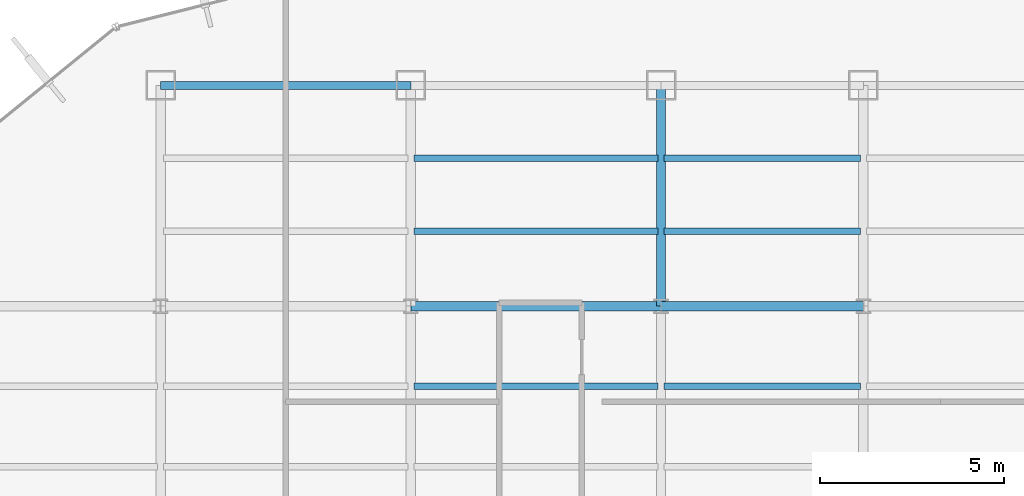
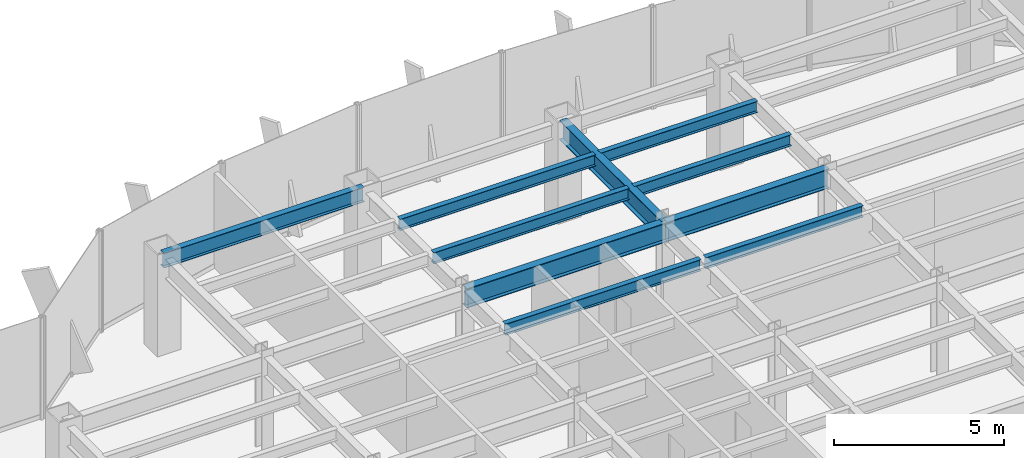
# One storey, part 15 of 26: 10 beams.
"""IFC4 building model written with IfcOpenShell, lengths in metres."""

from ifc_helpers import new_model, si_unit, derived_unit, direction, frame, origin, origin_2d, place, context, subcontext, project, spatial, i_section, extrude, source, transform, mapped, material, material_profile, profile_set, type_object, element, save


model = new_model("IFC4")

# Units and contexts
model_context = context("Model", 3, precision=1e-05, world=origin(), true_north=direction((0.0, 1.0)))
body_context = subcontext(model_context, "Body", "Model", "MODEL_VIEW")
ifc_project = project(units=[si_unit("LENGTHUNIT", "METRE"), si_unit("AREAUNIT", "SQUARE_METRE"), si_unit("VOLUMEUNIT", "CUBIC_METRE"), si_unit("PLANEANGLEUNIT", "RADIAN"), si_unit("MASSUNIT", "GRAM", prefix="KILO"), derived_unit("THERMALTRANSMITTANCEUNIT", [(si_unit("POWERUNIT", "WATT"), 1), (si_unit("LENGTHUNIT", "METRE"), -2), (si_unit("THERMODYNAMICTEMPERATUREUNIT", "KELVIN"), -1)])], contexts=[model_context])

# Site, building, storey
site_placement = place(None, origin())
site = spatial("IfcSite", under=ifc_project, at=site_placement, CompositionType="ELEMENT")
building_placement = place(site_placement, origin())
building = spatial("IfcBuilding", under=site, at=building_placement, Name="Skarnbrae Concourse Arena and Tower", CompositionType="ELEMENT")
storey_placement = place(building_placement, frame((0.0, 0.0, 95.949951171875)))
storey = spatial("IfcBuildingStorey", under=building, at=storey_placement, Name="L23", CompositionType="ELEMENT", Elevation=95.949951171875)

# Beams
ifc_material = material(Name="Steel CSA G40.21 350W", Category="steel")
ifc_material_profile_1 = material_profile(ifc_material, i_section(OverallWidth=0.256103515625, OverallDepth=0.693115234375, WebThickness=0.014404296875, FlangeThickness=0.023681640625, at=origin_2d()), Name="W690X170")
ifc_profile_set_1 = profile_set([ifc_material_profile_1], Name="Steel CSA G40.21 350W")
beam_type_1 = type_object("IfcBeamType", Name="BM-GIRD-W690X170", PredefinedType="BEAM", material=ifc_profile_set_1)
shared_shape_1 = source(origin(), body_context, "Body", "SweptSolid", [
    extrude(i_section(OverallWidth=0.256103515625, OverallDepth=0.693115234375, WebThickness=0.014404296875, FlangeThickness=0.023681640625, at=origin_2d()), origin(), (0.0, 0.0, 1.0), 6.800048828125),
])
beam_1_placement = place(storey_placement, frame((21.199951171875, 34.39990234375, 3.053466796875), z_axis=(1.0, 0.0, 0.0), x_axis=(0.0, 1.0, 0.0)))
element("IfcBeam", 1, at=beam_1_placement, inside=storey, type_object=beam_type_1, Name="L23 Primary E-W girder Y34.4-3", PredefinedType="BEAM", context=body_context, shape_type="MappedRepresentation", body=[
    mapped(shared_shape_1, transform((0.0, 0.0, 0.0))),
])
shared_shape_2 = source(origin(), body_context, "Body", "SweptSolid", [
    extrude(i_section(OverallWidth=0.256103515625, OverallDepth=0.693115234375, WebThickness=0.014404296875, FlangeThickness=0.023681640625, at=origin_2d()), origin(), (0.0, 0.0, 1.0), 5.5),
])
beam_2_placement = place(storey_placement, frame((28.0, 34.39990234375, 3.053466796875), z_axis=(1.0, 0.0, 0.0), x_axis=(0.0, 1.0, 0.0)))
element("IfcBeam", 2, at=beam_2_placement, inside=storey, type_object=beam_type_1, Name="L23 Primary E-W girder Y34.4-4", PredefinedType="BEAM", context=body_context, shape_type="MappedRepresentation", body=[
    mapped(shared_shape_2, transform((0.0, 0.0, 0.0))),
])
ifc_material_profile_2 = material_profile(ifc_material, i_section(OverallWidth=0.208984375, OverallDepth=0.532958984375, WebThickness=0.01025390625, FlangeThickness=0.015625, at=origin_2d()), Name="W530X92")
ifc_profile_set_2 = profile_set([ifc_material_profile_2], Name="Steel CSA G40.21 350W")
beam_type_2 = type_object("IfcBeamType", Name="BM-SPAN-W530X92", PredefinedType="SPANDREL", material=ifc_profile_set_2)
shared_shape_3 = source(origin(), body_context, "Body", "SweptSolid", [
    extrude(i_section(OverallWidth=0.208984375, OverallDepth=0.532958984375, WebThickness=0.01025390625, FlangeThickness=0.015625, at=origin_2d()), origin(), (0.0, 0.0, 1.0), 6.800048828125),
])
beam_3_placement = place(storey_placement, frame((14.39990234375, 40.39990234375, 3.133544921875), z_axis=(1.0, 0.0, 0.0), x_axis=(0.0, 1.0, 0.0)))
element("IfcBeam", 3, at=beam_3_placement, inside=storey, type_object=beam_type_2, Name="L23 Perimeter spandrel Y40.4-1", PredefinedType="SPANDREL", context=body_context, shape_type="MappedRepresentation", body=[
    mapped(shared_shape_3, transform((0.0, 0.0, 0.0))),
])
shared_shape_4 = source(origin(), body_context, "Body", "SweptSolid", [
    extrude(i_section(OverallWidth=0.256103515625, OverallDepth=0.693115234375, WebThickness=0.014404296875, FlangeThickness=0.023681640625, at=origin_2d()), origin(), (0.0, 0.0, 1.0), 6.0),
])
beam_4_placement = place(storey_placement, frame((28.0, 34.39990234375, 3.053466796875), z_axis=(0.0, 1.0, 0.0), x_axis=(-1.0, 0.0, 0.0)))
element("IfcBeam", 4, at=beam_4_placement, inside=storey, type_object=beam_type_1, Name="L23 Primary N-S girder X28.0-4", PredefinedType="BEAM", context=body_context, shape_type="MappedRepresentation", body=[
    mapped(shared_shape_4, transform((0.0, 0.0, 0.0))),
])
ifc_material_profile_3 = material_profile(ifc_material, i_section(OverallWidth=0.177978515625, OverallDepth=0.406982421875, WebThickness=0.0078125, FlangeThickness=0.0126953125, at=origin_2d()), Name="W410X60")
ifc_profile_set_3 = profile_set([ifc_material_profile_3], Name="Steel CSA G40.21 350W")
beam_type_3 = type_object("IfcBeamType", Name="BM-JOIST-W410X60", PredefinedType="JOIST", material=ifc_profile_set_3)
shared_shape_5 = source(origin(), body_context, "Body", "SweptSolid", [
    extrude(i_section(OverallWidth=0.177978515625, OverallDepth=0.406982421875, WebThickness=0.0078125, FlangeThickness=0.0126953125, at=origin_2d()), origin(), (0.0, 0.0, 1.0), 6.639892578125),
])
for number, where, z_axis, x_axis, name in (
    (5, (21.280029296875, 32.221923828125, 3.196533203125), (1.0, 0.0, 0.0), (0.0, 1.0, 0.0), "L23 Secondary floor joist 3.2.3"),
    (6, (21.280029296875, 36.43994140625, 3.196533203125), (1.0, 0.0, 0.0), (0.0, 1.0, 0.0), "L23 Secondary floor joist 4.1.2"),
    (7, (21.280029296875, 38.419921875, 3.196533203125), (1.0, 0.0, 0.0), (0.0, 1.0, 0.0), "L23 Secondary floor joist 4.2.2"),
):
    element("IfcBeam", number, at=place(storey_placement, frame(where, z_axis=z_axis, x_axis=x_axis)), inside=storey, type_object=beam_type_3, Name=name, PredefinedType="JOIST", context=body_context, shape_type="MappedRepresentation", body=[
        mapped(shared_shape_5, transform((0.0, 0.0, 0.0))),
    ])
shared_shape_6 = source(origin(), body_context, "Body", "SweptSolid", [
    extrude(i_section(OverallWidth=0.177978515625, OverallDepth=0.406982421875, WebThickness=0.0078125, FlangeThickness=0.0126953125, at=origin_2d()), origin(), (0.0, 0.0, 1.0), 5.33984375),
])
for number, where, z_axis, x_axis, name in (
    (8, (28.080078125, 32.221923828125, 3.196533203125), (1.0, 0.0, 0.0), (0.0, 1.0, 0.0), "L23 Secondary floor joist 3.2.4"),
    (9, (28.080078125, 36.43994140625, 3.196533203125), (1.0, 0.0, 0.0), (0.0, 1.0, 0.0), "L23 Secondary floor joist 4.1.3"),
    (10, (28.080078125, 38.419921875, 3.196533203125), (1.0, 0.0, 0.0), (0.0, 1.0, 0.0), "L23 Secondary floor joist 4.2.3"),
):
    element("IfcBeam", number, at=place(storey_placement, frame(where, z_axis=z_axis, x_axis=x_axis)), inside=storey, type_object=beam_type_3, Name=name, PredefinedType="JOIST", context=body_context, shape_type="MappedRepresentation", body=[
        mapped(shared_shape_6, transform((0.0, 0.0, 0.0))),
    ])

save(model, "model.ifc")
